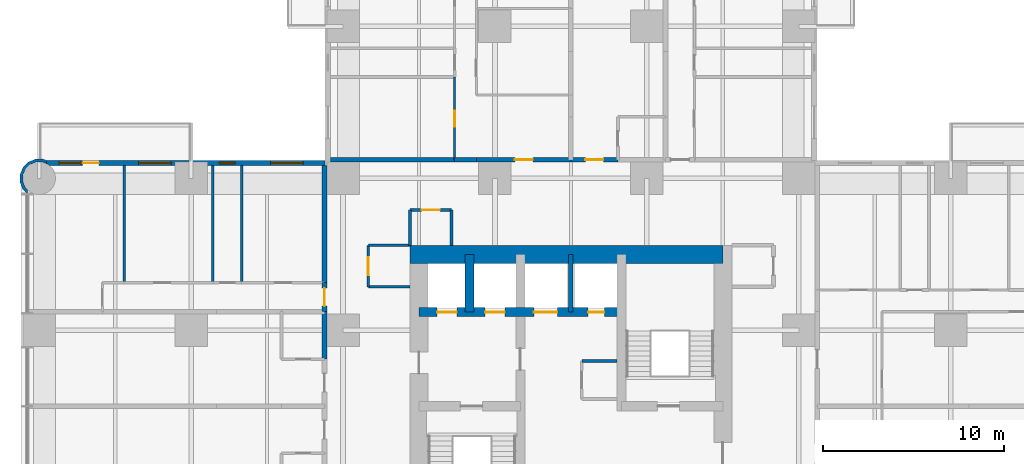
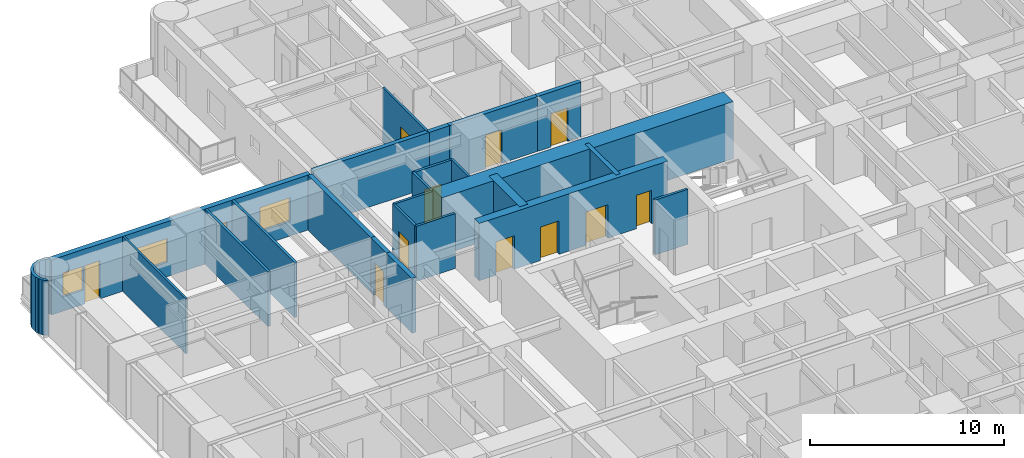
# One storey, part 12 of 17: 24 walls, 11 doors, 4 windows, 15 openings.
"""IFC4 building model written with IfcOpenShell, lengths in metres."""

from ifc_helpers import new_model, si_unit, direction, frame, frame_2d, origin, place, context, subcontext, project, spatial, polyline, rectangle, outline, extrude, material, layer, layer_set, type_object, element, fill, save


model = new_model("IFC4")

# Units and contexts
model_context = context("Model", 3, precision=1e-05, world=origin(), true_north=direction((0.0, 1.0)))
body_context = subcontext(model_context, "Body", "Model", "MODEL_VIEW")
ifc_project = project(units=[si_unit("LENGTHUNIT", "METRE"), si_unit("AREAUNIT", "SQUARE_METRE"), si_unit("VOLUMEUNIT", "CUBIC_METRE"), si_unit("PLANEANGLEUNIT", "RADIAN"), si_unit("MASSUNIT", "GRAM", prefix="KILO")], contexts=[model_context])

# Site, building, storey
site_placement = place(None, origin())
site = spatial("IfcSite", under=ifc_project, at=site_placement, CompositionType="ELEMENT")
building_placement = place(site_placement, origin())
building = spatial("IfcBuilding", under=site, at=building_placement, Name="Torre Alcanfor", CompositionType="ELEMENT")
storey_placement = place(building_placement, frame((0.0, 0.0, 63.300048828125)))
storey = spatial("IfcBuildingStorey", under=building, at=storey_placement, Name="L15", CompositionType="ELEMENT", Elevation=63.300048828125)

# Wall, opening, door
ifc_material_1 = material(Name="Concrete block masonry, hollow blocks NMX-C-404 9 MPa", Category="masonry")
ifc_layer_1 = layer(ifc_material_1, 0.25)
ifc_layer_set_1 = layer_set([ifc_layer_1], Name="Apartment entrance wall 250 EI 60")
wall_type_1 = type_object("IfcWallType", Name="Apartment entrance wall 250 EI 60", PredefinedType="PARTITIONING", material=ifc_layer_set_1)
wall_1_placement = place(storey_placement, frame((24.1708984375, 43.02490234375, 0.0), z_axis=(0.0, 0.0, 1.0), x_axis=(1.0, 0.0, 0.0)))
wall_1 = element("IfcWall", 1, at=wall_1_placement, inside=storey, type_object=wall_type_1, Name="Partition L15-CORR / L15-N1-ZAG", PredefinedType="PARTITIONING", context=body_context, shape_type="SweptSolid", body=[
    extrude(rectangle(XDim=5.22900390625, YDim=0.25, at=frame_2d((2.614501953125, 0.0))), origin(), (0.0, 0.0, 1.0), 3.449951171875),
])
opening_1_placement = place(wall_1_placement, frame((2.12890625, 0.0, 0.0)))
opening_1 = element("IfcOpeningElement", 2, at=opening_1_placement, cuts=wall_1, Name="Opening D-A1", PredefinedType="OPENING", context=body_context, shape_type="SweptSolid", body=[
    extrude(rectangle(XDim=1.0, YDim=2.10009765625, at=frame_2d((0.5, 1.050048828125))), frame((0.0, 0.135009765625, 0.0), z_axis=(0.0, -1.0, 0.0), x_axis=(1.0, 0.0, 0.0)), (0.0, 0.0, 1.0), 0.27001953125),
])
ifc_material_2 = material(Name="Galvanised steel sheet ASTM A653", Category="steel")
door_type_1 = type_object("IfcDoorType", Name="Apartment entrance door FD60 1000x2100", OperationType="SINGLE_SWING_LEFT", PredefinedType="DOOR", material=ifc_material_2)
door_1_placement = place(opening_1_placement, origin())
door_1 = element("IfcDoor", 3, at=door_1_placement, inside=storey, type_object=door_type_1, Name="Apartment entrance L15-N1", OperationType="SINGLE_SWING_RIGHT", OverallHeight=2.10009765625, OverallWidth=1.0, PredefinedType="DOOR", context=body_context, shape_type="SweptSolid", body=[
    extrude(rectangle(XDim=1.0, YDim=2.10009765625, at=frame_2d((0.5, 1.050048828125))), frame((0.0, 0.02490234375, 0.0), z_axis=(0.0, -1.0, 0.0), x_axis=(1.0, 0.0, 0.0)), (0.0, 0.0, 1.0), 0.050048828125),
])
fill(opening_1, door_1)

# Walls
wall_2_placement = place(storey_placement, frame((22.970947265625, 43.02490234375, 0.0), z_axis=(0.0, 0.0, 1.0), x_axis=(1.0, 0.0, 0.0)))
element("IfcWall", 4, at=wall_2_placement, inside=storey, type_object=wall_type_1, Name="Partition L15-CORR / L15-N1-HALL", PredefinedType="PARTITIONING", context=body_context, shape_type="SweptSolid", body=[
    extrude(rectangle(XDim=1.199951171875, YDim=0.25, at=frame_2d((0.60009765625, 0.0))), origin(), (0.0, 0.0, 1.0), 3.449951171875),
])
wall_3_placement = place(storey_placement, frame((16.10009765625, 43.02490234375, 0.0), z_axis=(0.0, 0.0, 1.0), x_axis=(1.0, 0.0, 0.0)))
element("IfcWall", 5, at=wall_3_placement, inside=storey, type_object=wall_type_1, Name="Partition L15-CORR / L15-N1-BED2", PredefinedType="PARTITIONING", context=body_context, shape_type="SweptSolid", body=[
    extrude(rectangle(XDim=6.870849609375, YDim=0.25, at=frame_2d((3.435546875, 0.0))), origin(), (0.0, 0.0, 1.0), 3.449951171875),
])

# Wall, opening, door
wall_4_placement = place(storey_placement, frame((29.39990234375, 43.02490234375, 0.0), z_axis=(0.0, 0.0, 1.0), x_axis=(1.0, 0.0, 0.0)))
wall_4 = element("IfcWall", 6, at=wall_4_placement, inside=storey, type_object=wall_type_1, Name="Partition L15-CORR / L15-N2A-FOYER", PredefinedType="PARTITIONING", context=body_context, shape_type="SweptSolid", body=[
    extrude(rectangle(XDim=2.60009765625, YDim=0.25, at=frame_2d((1.300048828125, 0.0))), origin(), (0.0, 0.0, 1.0), 3.449951171875),
])
opening_2_placement = place(wall_4_placement, frame((0.800048828125, 0.0, 0.0)))
opening_2 = element("IfcOpeningElement", 7, at=opening_2_placement, cuts=wall_4, Name="Opening D-A1", PredefinedType="OPENING", context=body_context, shape_type="SweptSolid", body=[
    extrude(rectangle(XDim=1.0, YDim=2.10009765625, at=frame_2d((0.5, 1.050048828125))), frame((0.0, 0.135009765625, 0.0), z_axis=(0.0, -1.0, 0.0), x_axis=(1.0, 0.0, 0.0)), (0.0, 0.0, 1.0), 0.27001953125),
])
door_2_placement = place(opening_2_placement, origin())
door_2 = element("IfcDoor", 8, at=door_2_placement, inside=storey, type_object=door_type_1, Name="Apartment entrance L15-N2A", OperationType="SINGLE_SWING_LEFT", OverallHeight=2.10009765625, OverallWidth=1.0, PredefinedType="DOOR", context=body_context, shape_type="SweptSolid", body=[
    extrude(rectangle(XDim=1.0, YDim=2.10009765625, at=frame_2d((0.5, 1.050048828125))), frame((0.0, 0.02490234375, 0.0), z_axis=(0.0, -1.0, 0.0), x_axis=(1.0, 0.0, 0.0)), (0.0, 0.0, 1.0), 0.050048828125),
])
fill(opening_2, door_2)

# Wall
wall_5_placement = place(storey_placement, frame((15.77490234375, 32.0, 0.0), z_axis=(0.0, 0.0, 1.0), x_axis=(0.0, 1.0, 0.0)))
element("IfcWall", 9, at=wall_5_placement, inside=storey, type_object=wall_type_1, Name="Partition L15-CORR / L15-W2A-BATH", PredefinedType="PARTITIONING", context=body_context, shape_type="SweptSolid", body=[
    extrude(rectangle(XDim=2.62890625, YDim=0.25, at=frame_2d((1.314453125, 0.0))), origin(), (0.0, 0.0, 1.0), 3.449951171875),
])

# Wall, opening, door
wall_6_placement = place(storey_placement, frame((15.77490234375, 34.62890625, 0.0), z_axis=(0.0, 0.0, 1.0), x_axis=(0.0, 1.0, 0.0)))
wall_6 = element("IfcWall", 10, at=wall_6_placement, inside=storey, type_object=wall_type_1, Name="Partition L15-CORR / L15-W2B-HALL", PredefinedType="PARTITIONING", context=body_context, shape_type="SweptSolid", body=[
    extrude(rectangle(XDim=1.60009765625, YDim=0.25, at=frame_2d((0.800048828125, 0.0))), origin(), (0.0, 0.0, 1.0), 3.449951171875),
])
opening_3_placement = place(wall_6_placement, frame((0.300048828125, 0.0, 0.0)))
opening_3 = element("IfcOpeningElement", 11, at=opening_3_placement, cuts=wall_6, Name="Opening D-A1", PredefinedType="OPENING", context=body_context, shape_type="SweptSolid", body=[
    extrude(rectangle(XDim=1.0, YDim=2.10009765625, at=frame_2d((0.5, 1.050048828125))), frame((0.0, 0.135009765625, 0.0), z_axis=(0.0, -1.0, 0.0), x_axis=(1.0, 0.0, 0.0)), (0.0, 0.0, 1.0), 0.27001953125),
])
door_3_placement = place(opening_3_placement, origin())
door_3 = element("IfcDoor", 12, at=door_3_placement, inside=storey, type_object=door_type_1, Name="Apartment entrance L15-W2B", OperationType="SINGLE_SWING_LEFT", OverallHeight=2.10009765625, OverallWidth=1.0, PredefinedType="DOOR", context=body_context, shape_type="SweptSolid", body=[
    extrude(rectangle(XDim=1.0, YDim=2.10009765625, at=frame_2d((0.5, 1.050048828125))), frame((0.0, 0.02490234375, 0.0), z_axis=(0.0, -1.0, 0.0), x_axis=(1.0, 0.0, 0.0)), (0.0, 0.0, 1.0), 0.050048828125),
])
fill(opening_3, door_3)

# Wall
wall_7_placement = place(storey_placement, frame((15.77490234375, 36.22900390625, 0.0), z_axis=(0.0, 0.0, 1.0), x_axis=(0.0, 1.0, 0.0)))
element("IfcWall", 13, at=wall_7_placement, inside=storey, type_object=wall_type_1, Name="Partition L15-CORR / L15-W2B-BED2", PredefinedType="PARTITIONING", context=body_context, shape_type="SweptSolid", body=[
    extrude(rectangle(XDim=6.470947265625, YDim=0.25, at=frame_2d((3.2353515625, 0.0))), origin(), (0.0, 0.0, 1.0), 3.449951171875),
])

# Wall, opening, door
ifc_material_3 = material(Name="Gypsum board on steel studs", Category="steel")
ifc_layer_2 = layer(ifc_material_3, 0.1201171875)
ifc_layer_set_2 = layer_set([ifc_layer_2], Name="Apartment partition 120")
wall_type_2 = type_object("IfcWallType", Name="Apartment partition 120", PredefinedType="PARTITIONING", material=ifc_layer_set_2)
wall_8_placement = place(storey_placement, frame((22.970947265625, 47.60009765625, 0.0), z_axis=(0.0, 0.0, 1.0), x_axis=(0.0, -1.0, 0.0)))
wall_8 = element("IfcWall", 14, at=wall_8_placement, inside=storey, type_object=wall_type_2, Name="Partition L15-N1-HALL / L15-N1-BED2", PredefinedType="PARTITIONING", context=body_context, shape_type="SweptSolid", body=[
    extrude(rectangle(XDim=4.5751953125, YDim=0.1201171875, at=frame_2d((2.28759765625, 0.0))), origin(), (0.0, 0.0, 1.0), 3.449951171875),
])
opening_4_placement = place(wall_8_placement, frame((1.85009765625, 0.0, 0.0)))
opening_4 = element("IfcOpeningElement", 15, at=opening_4_placement, cuts=wall_8, Name="Opening D-R1", PredefinedType="OPENING", context=body_context, shape_type="SweptSolid", body=[
    extrude(rectangle(XDim=0.89990234375, YDim=2.10009765625, at=frame_2d((0.449951171875, 1.050048828125))), frame((0.0, 0.070068359375, 0.0), z_axis=(0.0, -1.0, 0.0), x_axis=(1.0, 0.0, 0.0)), (0.0, 0.0, 1.0), 0.14013671875),
])
ifc_material_4 = material(Name="Timber", Category="wood")
door_type_2 = type_object("IfcDoorType", Name="Internal door 900x2100", OperationType="SINGLE_SWING_LEFT", PredefinedType="DOOR", material=ifc_material_4)
door_4_placement = place(opening_4_placement, frame((0.89990234375, 0.0, 0.0), z_axis=(0.0, 0.0, 1.0), x_axis=(-1.0, 0.0, 0.0)))
door_4 = element("IfcDoor", 16, at=door_4_placement, inside=storey, type_object=door_type_2, Name="Door L15-N1 bed2", OperationType="SINGLE_SWING_LEFT", OverallHeight=2.10009765625, OverallWidth=0.89990234375, PredefinedType="DOOR", context=body_context, shape_type="SweptSolid", body=[
    extrude(rectangle(XDim=0.89990234375, YDim=2.10009765625, at=frame_2d((0.449951171875, 1.050048828125))), frame((0.0, 0.025146484375, 0.0), z_axis=(0.0, -1.0, 0.0), x_axis=(1.0, 0.0, 0.0)), (0.0, 0.0, 1.0), 0.050048828125),
])
fill(opening_4, door_4)

# Wall
wall_9_placement = place(storey_placement, frame((4.699951171875, 36.22900390625, 0.0), z_axis=(0.0, 0.0, 1.0), x_axis=(0.0, 1.0, 0.0)))
element("IfcWall", 17, at=wall_9_placement, inside=storey, type_object=wall_type_2, Name="Partition L15-W2B-MASTER / L15-W2B-KITCHEN", PredefinedType="PARTITIONING", context=body_context, shape_type="SweptSolid", body=[
    extrude(rectangle(XDim=6.470947265625, YDim=0.1201171875, at=frame_2d((3.2353515625, 0.0))), origin(), (0.0, 0.0, 1.0), 3.449951171875),
])

# Wall, openings, doors
ifc_material_5 = material(Name="Concrete f'c 70 MPa", Category="concrete")
ifc_layer_3 = layer(ifc_material_5, 0.5)
ifc_layer_set_3 = layer_set([ifc_layer_3], Name="Core inner wall 500 f'c70")
wall_type_3 = type_object("IfcWallType", Name="Core inner wall 500 f'c70", PredefinedType="SHEAR", material=ifc_layer_set_3)
wall_10_placement = place(storey_placement, frame((21.0, 34.60009765625, 0.0), z_axis=(0.0, 0.0, 1.0), x_axis=(1.0, 0.0, 0.0)))
wall_10 = element("IfcWall", 18, at=wall_10_placement, inside=storey, type_object=wall_type_3, Name="Core wall Y346 L15", PredefinedType="SHEAR", context=body_context, shape_type="SweptSolid", body=[
    extrude(rectangle(XDim=11.199951171875, YDim=0.5, at=frame_2d((5.60009765625, 0.0))), origin(), (0.0, 0.0, 1.0), 3.599853515625),
])
opening_5_placement = place(wall_10_placement, frame((9.35009765625, 0.0, 0.0)))
opening_5 = element("IfcOpeningElement", 19, at=opening_5_placement, cuts=wall_10, Name="Opening D-Q1", PredefinedType="OPENING", context=body_context, shape_type="SweptSolid", body=[
    extrude(rectangle(XDim=0.89990234375, YDim=2.10009765625, at=frame_2d((0.449951171875, 1.050048828125))), frame((0.0, 0.260009765625, 0.0), z_axis=(0.0, -1.0, 0.0), x_axis=(1.0, 0.0, 0.0)), (0.0, 0.0, 1.0), 0.52001953125),
])
opening_6_placement = place(wall_10_placement, frame((1.0, 0.0, 0.0)))
opening_6 = element("IfcOpeningElement", 20, at=opening_6_placement, cuts=wall_10, Name="Opening LD2", PredefinedType="OPENING", context=body_context, shape_type="SweptSolid", body=[
    extrude(rectangle(XDim=1.10009765625, YDim=2.10009765625, at=frame_2d((0.550048828125, 1.050048828125))), frame((0.0, 0.260009765625, 0.0), z_axis=(0.0, -1.0, 0.0), x_axis=(1.0, 0.0, 0.0)), (0.0, 0.0, 1.0), 0.52001953125),
])
opening_7_placement = place(wall_10_placement, frame((3.64990234375, 0.0, 0.0)))
opening_7 = element("IfcOpeningElement", 21, at=opening_7_placement, cuts=wall_10, Name="Opening LD2", PredefinedType="OPENING", context=body_context, shape_type="SweptSolid", body=[
    extrude(rectangle(XDim=1.10009765625, YDim=2.10009765625, at=frame_2d((0.550048828125, 1.050048828125))), frame((0.0, 0.260009765625, 0.0), z_axis=(0.0, -1.0, 0.0), x_axis=(1.0, 0.0, 0.0)), (0.0, 0.0, 1.0), 0.52001953125),
])
opening_8_placement = place(wall_10_placement, frame((6.35009765625, 0.0, 0.0)))
opening_8 = element("IfcOpeningElement", 22, at=opening_8_placement, cuts=wall_10, Name="Opening LD3", PredefinedType="OPENING", context=body_context, shape_type="SweptSolid", body=[
    extrude(rectangle(XDim=1.300048828125, YDim=2.10009765625, at=frame_2d((0.64990234375, 1.050048828125))), frame((0.0, 0.260009765625, 0.0), z_axis=(0.0, -1.0, 0.0), x_axis=(1.0, 0.0, 0.0)), (0.0, 0.0, 1.0), 0.52001953125),
])
ifc_material_6 = material(Name="Galvanised steel sheet ASTM A653", Category="steel")
door_type_3 = type_object("IfcDoorType", Name="Firefighting lift landing door 1100x2100", OperationType="DOUBLE_DOOR_SLIDING", PredefinedType="DOOR", material=ifc_material_6)
door_5_placement = place(opening_6_placement, origin())
door_5 = element("IfcDoor", 23, at=door_5_placement, inside=storey, type_object=door_type_3, Name="Lift landing door FL1 L15", OperationType="DOUBLE_DOOR_SLIDING", OverallHeight=2.10009765625, OverallWidth=1.10009765625, PredefinedType="DOOR", context=body_context, shape_type="SweptSolid", body=[
    extrude(rectangle(XDim=1.10009765625, YDim=2.10009765625, at=frame_2d((0.550048828125, 1.050048828125))), frame((0.0, 0.02490234375, 0.0), z_axis=(0.0, -1.0, 0.0), x_axis=(1.0, 0.0, 0.0)), (0.0, 0.0, 1.0), 0.050048828125),
])
fill(opening_6, door_5)
door_6_placement = place(opening_7_placement, origin())
door_6 = element("IfcDoor", 24, at=door_6_placement, inside=storey, type_object=door_type_3, Name="Lift landing door FL2 L15", OperationType="DOUBLE_DOOR_SLIDING", OverallHeight=2.10009765625, OverallWidth=1.10009765625, PredefinedType="DOOR", context=body_context, shape_type="SweptSolid", body=[
    extrude(rectangle(XDim=1.10009765625, YDim=2.10009765625, at=frame_2d((0.550048828125, 1.050048828125))), frame((0.0, 0.02490234375, 0.0), z_axis=(0.0, -1.0, 0.0), x_axis=(1.0, 0.0, 0.0)), (0.0, 0.0, 1.0), 0.050048828125),
])
fill(opening_7, door_6)
ifc_material_7 = material(Name="Galvanised steel sheet ASTM A653", Category="steel")
door_type_4 = type_object("IfcDoorType", Name="Riser access door FD120 900x2100", OperationType="SINGLE_SWING_LEFT", PredefinedType="DOOR", material=ifc_material_7)
door_7_placement = place(opening_5_placement, origin())
door_7 = element("IfcDoor", 25, at=door_7_placement, inside=storey, type_object=door_type_4, Name="Riser door L15", OperationType="SINGLE_SWING_LEFT", OverallHeight=2.10009765625, OverallWidth=0.89990234375, PredefinedType="DOOR", context=body_context, shape_type="SweptSolid", body=[
    extrude(rectangle(XDim=0.89990234375, YDim=2.10009765625, at=frame_2d((0.449951171875, 1.050048828125))), frame((0.0, 0.02490234375, 0.0), z_axis=(0.0, -1.0, 0.0), x_axis=(1.0, 0.0, 0.0)), (0.0, 0.0, 1.0), 0.050048828125),
])
fill(opening_5, door_7)
ifc_material_8 = material(Name="Galvanised steel sheet ASTM A653", Category="steel")
door_type_5 = type_object("IfcDoorType", Name="Service lift landing door 1300x2100", OperationType="DOUBLE_DOOR_SLIDING", PredefinedType="DOOR", material=ifc_material_8)
door_8_placement = place(opening_8_placement, origin())
door_8 = element("IfcDoor", 26, at=door_8_placement, inside=storey, type_object=door_type_5, Name="Lift landing door SL1 L15", OperationType="DOUBLE_DOOR_SLIDING", OverallHeight=2.10009765625, OverallWidth=1.300048828125, PredefinedType="DOOR", context=body_context, shape_type="SweptSolid", body=[
    extrude(rectangle(XDim=1.300048828125, YDim=2.10009765625, at=frame_2d((0.64990234375, 1.050048828125))), frame((0.0, 0.02490234375, 0.0), z_axis=(0.0, -1.0, 0.0), x_axis=(1.0, 0.0, 0.0)), (0.0, 0.0, 1.0), 0.050048828125),
])
fill(opening_8, door_8)

# Walls
wall_11_placement = place(storey_placement, frame((23.800048828125, 34.60009765625, 0.0), z_axis=(0.0, 0.0, 1.0), x_axis=(0.0, 1.0, 0.0)))
element("IfcWall", 27, at=wall_11_placement, inside=storey, type_object=wall_type_3, Name="Core wall X238 L15", PredefinedType="SHEAR", context=body_context, shape_type="SweptSolid", body=[
    extrude(rectangle(XDim=3.199951171875, YDim=0.5, at=frame_2d((1.60009765625, 0.0))), origin(), (0.0, 0.0, 1.0), 3.599853515625),
])
ifc_material_9 = material(Name="Concrete f'c 70 MPa", Category="concrete")
ifc_layer_4 = layer(ifc_material_9, 0.25)
ifc_layer_set_4 = layer_set([ifc_layer_4], Name="Core shaft wall 250 f'c70")
wall_type_4 = type_object("IfcWallType", Name="Core shaft wall 250 f'c70", PredefinedType="SHEAR", material=ifc_layer_set_4)
wall_12_placement = place(storey_placement, frame((29.39990234375, 34.60009765625, 0.0), z_axis=(0.0, 0.0, 1.0), x_axis=(0.0, 1.0, 0.0)))
element("IfcWall", 28, at=wall_12_placement, inside=storey, type_object=wall_type_4, Name="Core wall X294N L15", PredefinedType="SHEAR", context=body_context, shape_type="SweptSolid", body=[
    extrude(rectangle(XDim=3.199951171875, YDim=0.25, at=frame_2d((1.60009765625, 0.0))), origin(), (0.0, 0.0, 1.0), 3.599853515625),
])
ifc_material_10 = material(Name="Concrete f'c 70 MPa", Category="concrete")
ifc_layer_5 = layer(ifc_material_10, 1.0)
ifc_layer_set_5 = layer_set([ifc_layer_5], Name="Core wall 1000 f'c70")
wall_type_5 = type_object("IfcWallType", Name="Core wall 1000 f'c70", PredefinedType="SHEAR", material=ifc_layer_set_5)
wall_13_placement = place(storey_placement, frame((37.800048828125, 37.800048828125, 0.0), z_axis=(0.0, 0.0, 1.0), x_axis=(-1.0, 0.0, 0.0)))
element("IfcWall", 29, at=wall_13_placement, inside=storey, type_object=wall_type_5, Name="Core wall OUT-N L15", PredefinedType="SHEAR", context=body_context, shape_type="SweptSolid", body=[
    extrude(rectangle(XDim=17.300048828125, YDim=1.0, at=frame_2d((8.64990234375, 0.0))), origin(), (0.0, 0.0, 1.0), 3.599853515625),
])

# Wall, openings, door, windows
ifc_material_11 = material(Name="Limestone cladding", Category="masonry")
ifc_layer_6 = layer(ifc_material_11, 0.0400390625, Name="Facing")
ifc_material_12 = material(Name="Ventilated air cavity")
ifc_layer_7 = layer(ifc_material_12, 0.02001953125, ventilated=True, Name="Ventilated joint")
ifc_material_13 = material(Name="Mineral wool insulation", Category="insulation")
ifc_layer_8 = layer(ifc_material_13, 0.10009765625, Name="Insulation")
ifc_material_14 = material(Name="Concrete f'c 35 MPa", Category="concrete")
ifc_layer_9 = layer(ifc_material_14, 0.139892578125, Name="Backing")
ifc_layer_set_6 = layer_set([ifc_layer_6, ifc_layer_7, ifc_layer_8, ifc_layer_9], Name="External wall stone-clad 300")
wall_type_6 = type_object("IfcWallType", Name="External wall stone-clad 300", PredefinedType="SOLIDWALL", material=ifc_layer_set_6)
wall_14_placement = place(storey_placement, frame((15.800048828125, 42.85009765625, 0.0), z_axis=(0.0, 0.0, 1.0), x_axis=(-1.0, 0.0, 0.0)))
wall_14 = element("IfcWall", 30, at=wall_14_placement, inside=storey, type_object=wall_type_6, Name="External wall L15 1", PredefinedType="SOLIDWALL", context=body_context, shape_type="SweptSolid", body=[
    extrude(rectangle(XDim=15.400146484375, YDim=0.300048828125, at=frame_2d((7.7001953125, 0.0))), origin(), (0.0, 0.0, 1.0), 3.449951171875),
])
opening_9_placement = place(wall_14_placement, frame((1.199951171875, 0.0, 0.89990234375)))
opening_9 = element("IfcOpeningElement", 31, at=opening_9_placement, cuts=wall_14, Name="Opening W2", PredefinedType="OPENING", context=body_context, shape_type="SweptSolid", body=[
    extrude(rectangle(XDim=1.800048828125, YDim=1.5, at=frame_2d((0.89990234375, 0.75))), frame((0.0, 0.159912109375, 0.0), z_axis=(0.0, -1.0, 0.0), x_axis=(1.0, 0.0, 0.0)), (0.0, 0.0, 1.0), 0.320068359375),
])
opening_10_placement = place(wall_14_placement, frame((4.949951171875, 0.0, 1.5)))
opening_10 = element("IfcOpeningElement", 32, at=opening_10_placement, cuts=wall_14, Name="Opening W3", PredefinedType="OPENING", context=body_context, shape_type="SweptSolid", body=[
    extrude(rectangle(XDim=0.89990234375, YDim=0.699951171875, at=frame_2d((0.449951171875, 0.35009765625))), frame((0.0, 0.159912109375, 0.0), z_axis=(0.0, -1.0, 0.0), x_axis=(1.0, 0.0, 0.0)), (0.0, 0.0, 1.0), 0.320068359375),
])
opening_11_placement = place(wall_14_placement, frame((8.5, 0.0, 0.89990234375)))
opening_11 = element("IfcOpeningElement", 33, at=opening_11_placement, cuts=wall_14, Name="Opening W2", PredefinedType="OPENING", context=body_context, shape_type="SweptSolid", body=[
    extrude(rectangle(XDim=1.800048828125, YDim=1.5, at=frame_2d((0.89990234375, 0.75))), frame((0.0, 0.159912109375, 0.0), z_axis=(0.0, -1.0, 0.0), x_axis=(1.0, 0.0, 0.0)), (0.0, 0.0, 1.0), 0.320068359375),
])
opening_12_placement = place(wall_14_placement, frame((12.5, 0.0, 0.0)))
opening_12 = element("IfcOpeningElement", 34, at=opening_12_placement, cuts=wall_14, Name="Opening D-B1", PredefinedType="OPENING", context=body_context, shape_type="SweptSolid", body=[
    extrude(rectangle(XDim=0.89990234375, YDim=2.39990234375, at=frame_2d((0.449951171875, 1.199951171875))), frame((0.0, 0.159912109375, 0.0), z_axis=(0.0, -1.0, 0.0), x_axis=(1.0, 0.0, 0.0)), (0.0, 0.0, 1.0), 0.320068359375),
])
opening_13_placement = place(wall_14_placement, frame((13.5, 0.0, 0.89990234375)))
opening_13 = element("IfcOpeningElement", 35, at=opening_13_placement, cuts=wall_14, Name="Opening W4", PredefinedType="OPENING", context=body_context, shape_type="SweptSolid", body=[
    extrude(rectangle(XDim=1.199951171875, YDim=1.5, at=frame_2d((0.60009765625, 0.75))), frame((0.0, 0.159912109375, 0.0), z_axis=(0.0, -1.0, 0.0), x_axis=(1.0, 0.0, 0.0)), (0.0, 0.0, 1.0), 0.320068359375),
])
ifc_material_15 = material(Name="Aluminium and glass", Category="aluminium")
door_type_6 = type_object("IfcDoorType", Name="Balcony door glazed 900x2400", OperationType="SINGLE_SWING_LEFT", PredefinedType="DOOR", material=ifc_material_15)
door_9_placement = place(opening_12_placement, origin())
door_9 = element("IfcDoor", 36, at=door_9_placement, inside=storey, type_object=door_type_6, Name="Balcony door L15-W2", OperationType="SINGLE_SWING_LEFT", OverallHeight=2.39990234375, OverallWidth=0.89990234375, PredefinedType="DOOR", context=body_context, shape_type="SweptSolid", body=[
    extrude(rectangle(XDim=0.89990234375, YDim=2.39990234375, at=frame_2d((0.449951171875, 1.199951171875))), frame((0.0, 0.02490234375, 0.0), z_axis=(0.0, -1.0, 0.0), x_axis=(1.0, 0.0, 0.0)), (0.0, 0.0, 1.0), 0.050048828125),
])
fill(opening_12, door_9)
ifc_material_16 = material(Name="Aluminium frame with clear double glazing", Category="aluminium")
window_type_1 = type_object("IfcWindowType", Name="Window bathroom 900x700", PartitioningType="SINGLE_PANEL", PredefinedType="WINDOW", material=ifc_material_16)
window_1_placement = place(opening_10_placement, origin())
window_1 = element("IfcWindow", 37, at=window_1_placement, inside=storey, type_object=window_type_1, Name="Window W3 L15-W2", OverallHeight=0.699951171875, OverallWidth=0.89990234375, PartitioningType="SINGLE_PANEL", PredefinedType="WINDOW", context=body_context, shape_type="SweptSolid", body=[
    extrude(rectangle(XDim=0.89990234375, YDim=0.699951171875, at=frame_2d((0.449951171875, 0.35009765625))), frame((0.0, 0.030029296875, 0.0), z_axis=(0.0, -1.0, 0.0), x_axis=(1.0, 0.0, 0.0)), (0.0, 0.0, 1.0), 0.06005859375),
])
fill(opening_10, window_1)
ifc_material_17 = material(Name="Aluminium frame with clear double glazing", Category="aluminium")
window_type_2 = type_object("IfcWindowType", Name="Window bedroom 1200x1500", PartitioningType="SINGLE_PANEL", PredefinedType="WINDOW", material=ifc_material_17)
window_2_placement = place(opening_13_placement, origin())
window_2 = element("IfcWindow", 38, at=window_2_placement, inside=storey, type_object=window_type_2, Name="Window W4 L15-W2", OverallHeight=1.5, OverallWidth=1.199951171875, PartitioningType="SINGLE_PANEL", PredefinedType="WINDOW", context=body_context, shape_type="SweptSolid", body=[
    extrude(rectangle(XDim=1.199951171875, YDim=1.5, at=frame_2d((0.60009765625, 0.75))), frame((0.0, 0.030029296875, 0.0), z_axis=(0.0, -1.0, 0.0), x_axis=(1.0, 0.0, 0.0)), (0.0, 0.0, 1.0), 0.06005859375),
])
fill(opening_13, window_2)
ifc_material_18 = material(Name="Aluminium frame with clear double glazing", Category="aluminium")
window_type_3 = type_object("IfcWindowType", Name="Window bedroom 1800x1500", PartitioningType="SINGLE_PANEL", PredefinedType="WINDOW", material=ifc_material_18)
window_3_placement = place(opening_9_placement, origin())
window_3 = element("IfcWindow", 39, at=window_3_placement, inside=storey, type_object=window_type_3, Name="Window W2 L15-W2", OverallHeight=1.5, OverallWidth=1.800048828125, PartitioningType="SINGLE_PANEL", PredefinedType="WINDOW", context=body_context, shape_type="SweptSolid", body=[
    extrude(rectangle(XDim=1.800048828125, YDim=1.5, at=frame_2d((0.89990234375, 0.75))), frame((0.0, 0.030029296875, 0.0), z_axis=(0.0, -1.0, 0.0), x_axis=(1.0, 0.0, 0.0)), (0.0, 0.0, 1.0), 0.06005859375),
])
fill(opening_9, window_3)
window_4_placement = place(opening_11_placement, origin())
window_4 = element("IfcWindow", 40, at=window_4_placement, inside=storey, type_object=window_type_3, Name="Window W2 L15-W2", OverallHeight=1.5, OverallWidth=1.800048828125, PartitioningType="SINGLE_PANEL", PredefinedType="WINDOW", context=body_context, shape_type="SweptSolid", body=[
    extrude(rectangle(XDim=1.800048828125, YDim=1.5, at=frame_2d((0.89990234375, 0.75))), frame((0.0, 0.030029296875, 0.0), z_axis=(0.0, -1.0, 0.0), x_axis=(1.0, 0.0, 0.0)), (0.0, 0.0, 1.0), 0.06005859375),
])
fill(opening_11, window_4)

# Wall
ifc_material_19 = material(Name="Concrete block masonry, hollow blocks NMX-C-404 9 MPa", Category="masonry")
ifc_layer_10 = layer(ifc_material_19, 0.14990234375)
ifc_layer_set_7 = layer_set([ifc_layer_10], Name="Residents' room partition 150")
wall_type_7 = type_object("IfcWallType", Name="Residents' room partition 150", PredefinedType="PARTITIONING", material=ifc_layer_set_7)
wall_15_placement = place(storey_placement, frame((22.800048828125, 38.300048828125, 0.0), z_axis=(0.0, 0.0, 1.0), x_axis=(0.0, 1.0, 0.0)))
element("IfcWall", 41, at=wall_15_placement, inside=storey, type_object=wall_type_7, Name="Partition L15-CORR / L15-G01", PredefinedType="PARTITIONING", context=body_context, shape_type="SweptSolid", body=[
    extrude(rectangle(XDim=1.949951171875, YDim=0.14990234375, at=frame_2d((0.97509765625, 0.0))), origin(), (0.0, 0.0, 1.0), 3.449951171875),
])

# Wall, opening, door
wall_16_placement = place(storey_placement, frame((22.800048828125, 40.25, 0.0), z_axis=(0.0, 0.0, 1.0), x_axis=(-1.0, 0.0, 0.0)))
wall_16 = element("IfcWall", 42, at=wall_16_placement, inside=storey, type_object=wall_type_7, Name="Partition L15-CORR / L15-G01", PredefinedType="PARTITIONING", context=body_context, shape_type="SweptSolid", body=[
    extrude(rectangle(XDim=2.300048828125, YDim=0.14990234375, at=frame_2d((1.14990234375, 0.0))), origin(), (0.0, 0.0, 1.0), 3.449951171875),
])
opening_14_placement = place(wall_16_placement, frame((0.64990234375, 0.0, 0.0)))
opening_14 = element("IfcOpeningElement", 43, at=opening_14_placement, cuts=wall_16, Name="Opening D-M1", PredefinedType="OPENING", context=body_context, shape_type="SweptSolid", body=[
    extrude(rectangle(XDim=1.0, YDim=2.10009765625, at=frame_2d((0.5, 1.050048828125))), frame((0.0, 0.0849609375, 0.0), z_axis=(0.0, -1.0, 0.0), x_axis=(1.0, 0.0, 0.0)), (0.0, 0.0, 1.0), 0.169921875),
])
ifc_material_20 = material(Name="Timber", Category="wood")
door_type_7 = type_object("IfcDoorType", Name="Residents' room door 1000x2100", OperationType="SINGLE_SWING_LEFT", PredefinedType="DOOR", material=ifc_material_20)
door_10_placement = place(opening_14_placement, origin())
door_10 = element("IfcDoor", 44, at=door_10_placement, inside=storey, type_object=door_type_7, Name="Door L15-G01 pram and buggy store", OperationType="SINGLE_SWING_LEFT", OverallHeight=2.10009765625, OverallWidth=1.0, PredefinedType="DOOR", context=body_context, shape_type="SweptSolid", body=[
    extrude(rectangle(XDim=1.0, YDim=2.10009765625, at=frame_2d((0.5, 1.050048828125))), frame((0.0, 0.02490234375, 0.0), z_axis=(0.0, -1.0, 0.0), x_axis=(1.0, 0.0, 0.0)), (0.0, 0.0, 1.0), 0.050048828125),
])
fill(opening_14, door_10)

# Walls
wall_17_placement = place(storey_placement, frame((20.5, 40.25, 0.0), z_axis=(0.0, 0.0, 1.0), x_axis=(0.0, -1.0, 0.0)))
element("IfcWall", 45, at=wall_17_placement, inside=storey, type_object=wall_type_7, Name="Partition L15-CORR / L15-G01", PredefinedType="PARTITIONING", context=body_context, shape_type="SweptSolid", body=[
    extrude(rectangle(XDim=1.949951171875, YDim=0.14990234375, at=frame_2d((0.97509765625, 0.0))), origin(), (0.0, 0.0, 1.0), 3.449951171875),
])
wall_18_placement = place(storey_placement, frame((20.5, 38.300048828125, 0.0), z_axis=(0.0, 0.0, 1.0), x_axis=(-1.0, 0.0, 0.0)))
element("IfcWall", 46, at=wall_18_placement, inside=storey, type_object=wall_type_7, Name="Partition L15-CORR / L15-G05", PredefinedType="PARTITIONING", context=body_context, shape_type="SweptSolid", body=[
    extrude(rectangle(XDim=2.300048828125, YDim=0.14990234375, at=frame_2d((1.14990234375, 0.0))), origin(), (0.0, 0.0, 1.0), 3.449951171875),
])

# Wall, opening, door
wall_19_placement = place(storey_placement, frame((18.199951171875, 38.300048828125, 0.0), z_axis=(0.0, 0.0, 1.0), x_axis=(0.0, -1.0, 0.0)))
wall_19 = element("IfcWall", 47, at=wall_19_placement, inside=storey, type_object=wall_type_7, Name="Partition L15-CORR / L15-G05", PredefinedType="PARTITIONING", context=body_context, shape_type="SweptSolid", body=[
    extrude(rectangle(XDim=2.300048828125, YDim=0.14990234375, at=frame_2d((1.14990234375, 0.0))), origin(), (0.0, 0.0, 1.0), 3.449951171875),
])
opening_15_placement = place(wall_19_placement, frame((0.64990234375, 0.0, 0.0)))
opening_15 = element("IfcOpeningElement", 48, at=opening_15_placement, cuts=wall_19, Name="Opening D-M1", PredefinedType="OPENING", context=body_context, shape_type="SweptSolid", body=[
    extrude(rectangle(XDim=1.0, YDim=2.10009765625, at=frame_2d((0.5, 1.050048828125))), frame((0.0, 0.0849609375, 0.0), z_axis=(0.0, -1.0, 0.0), x_axis=(1.0, 0.0, 0.0)), (0.0, 0.0, 1.0), 0.169921875),
])
door_11_placement = place(opening_15_placement, origin())
door_11 = element("IfcDoor", 49, at=door_11_placement, inside=storey, type_object=door_type_7, Name="Door L15-G05 parcel room", OperationType="SINGLE_SWING_LEFT", OverallHeight=2.10009765625, OverallWidth=1.0, PredefinedType="DOOR", context=body_context, shape_type="SweptSolid", body=[
    extrude(rectangle(XDim=1.0, YDim=2.10009765625, at=frame_2d((0.5, 1.050048828125))), frame((0.0, 0.02490234375, 0.0), z_axis=(0.0, -1.0, 0.0), x_axis=(1.0, 0.0, 0.0)), (0.0, 0.0, 1.0), 0.050048828125),
])
fill(opening_15, door_11)

# Walls
wall_20_placement = place(storey_placement, frame((18.199951171875, 36.0, 0.0), z_axis=(0.0, 0.0, 1.0), x_axis=(1.0, 0.0, 0.0)))
element("IfcWall", 50, at=wall_20_placement, inside=storey, type_object=wall_type_7, Name="Partition L15-CORR / L15-G05", PredefinedType="PARTITIONING", context=body_context, shape_type="SweptSolid", body=[
    extrude(rectangle(XDim=2.300048828125, YDim=0.14990234375, at=frame_2d((1.14990234375, 0.0))), origin(), (0.0, 0.0, 1.0), 3.449951171875),
])
ifc_layer_11 = layer(ifc_material_11, 0.0400390625, Name="Facing")
ifc_layer_12 = layer(ifc_material_12, 0.02001953125, ventilated=True, Name="Ventilated joint")
ifc_layer_13 = layer(ifc_material_13, 0.10009765625, Name="Insulation")
ifc_layer_14 = layer(ifc_material_14, 0.139892578125, Name="Backing")
ifc_layer_set_8 = layer_set([ifc_layer_11, ifc_layer_12, ifc_layer_13, ifc_layer_14], Name="Rounded corner pier stone-clad 300")
wall_type_8 = type_object("IfcWallType", Name="Rounded corner pier stone-clad 300", PredefinedType="SOLIDWALL", material=ifc_layer_set_8)
wall_21_placement = place(storey_placement, frame((0.363962863, 42.909907157, 0.0), z_axis=(0.0, 0.0, 1.0), x_axis=(-0.926129809145, 0.377204953059, 0.0)))
element("IfcWall", 51, at=wall_21_placement, inside=storey, type_object=wall_type_8, Name="Corner pier L15 13", PredefinedType="SOLIDWALL", context=body_context, shape_type="SweptSolid", body=[
    extrude(outline(polyline([(0.36027248147905344, 1.8032799323574271), (0.5087783723473315, 1.740921099842025), (0.7605913470133172, 1.4857584601095954), (0.8957810128069955, 1.1538349835897281), (0.8939031559639274, 0.7953461823991875), (0.7547957339381889, 0.4650577343600455), (0.4996330942057594, 0.21324475969405968), (0.1677096176858921, 0.07805509390038129), (-0.09992182078970525, 0.07950523369113624), (0.0006988421670046999, -0.09699421764222865), (0.0300177129428464, -0.08030783699434613), (0.19858532179107968, -0.08124570553990346), (0.5888441232034033, 0.0777034519259609), (0.8888369702307105, 0.374136779300854), (1.052603126025944, 0.7629734686109036), (1.0550818122472803, 1.1847106876949156), (0.8961326547814159, 1.5749694891072394), (0.7776866026168303, 1.6949130219751851), (0.7691400347446393, 1.7275471706587737), (0.7502646662372825, 1.7227591424871238), (0.599699327406523, 1.8749623361345464), (0.2945484394782597, 2.0034825844222954), (0.2809820848521072, 1.9979571212427172), (0.36027248147905344, 1.8032799323574271)])), origin(), (0.0, 0.0, 1.0), 3.449951171875),
])
ifc_material_21 = material(Name="Cement board on steel studs", Category="steel")
ifc_layer_15 = layer(ifc_material_21, 0.14990234375)
ifc_layer_set_9 = layer_set([ifc_layer_15], Name="Wet area partition 150")
wall_type_9 = type_object("IfcWallType", Name="Wet area partition 150", PredefinedType="PARTITIONING", material=ifc_layer_set_9)
for number, where, z_axis, x_axis, name in (
    (52, (11.199951171875, 36.22900390625, 0.0), (0.0, 0.0, 1.0), (0.0, 1.0, 0.0), "Partition L15-W2B-BED2 / L15-W2B-BATH"),
    (53, (9.60009765625, 36.22900390625, 0.0), (0.0, 0.0, 1.0), (0.0, 1.0, 0.0), "Partition L15-W2B-BATH / L15-W2B-MASTER"),
):
    element("IfcWall", number, at=place(storey_placement, frame(where, z_axis=z_axis, x_axis=x_axis)), inside=storey, type_object=wall_type_9, Name=name, PredefinedType="PARTITIONING", context=body_context, shape_type="SweptSolid", body=[
        extrude(rectangle(XDim=6.470947265625, YDim=0.14990234375, at=frame_2d((3.2353515625, 0.0))), origin(), (0.0, 0.0, 1.0), 3.449951171875),
    ])
wall_22_placement = place(storey_placement, frame((30.0, 31.89990234375, 0.0), z_axis=(0.0, 0.0, 1.0), x_axis=(1.0, 0.0, 0.0)))
element("IfcWall", 54, at=wall_22_placement, inside=storey, type_object=wall_type_9, Name="Partition L15-LL / L15-CR1", PredefinedType="PARTITIONING", context=body_context, shape_type="SweptSolid", body=[
    extrude(rectangle(XDim=1.949951171875, YDim=0.14990234375, at=frame_2d((0.97509765625, 0.0))), origin(), (0.0, 0.0, 1.0), 3.449951171875),
])

save(model, "model.ifc")
